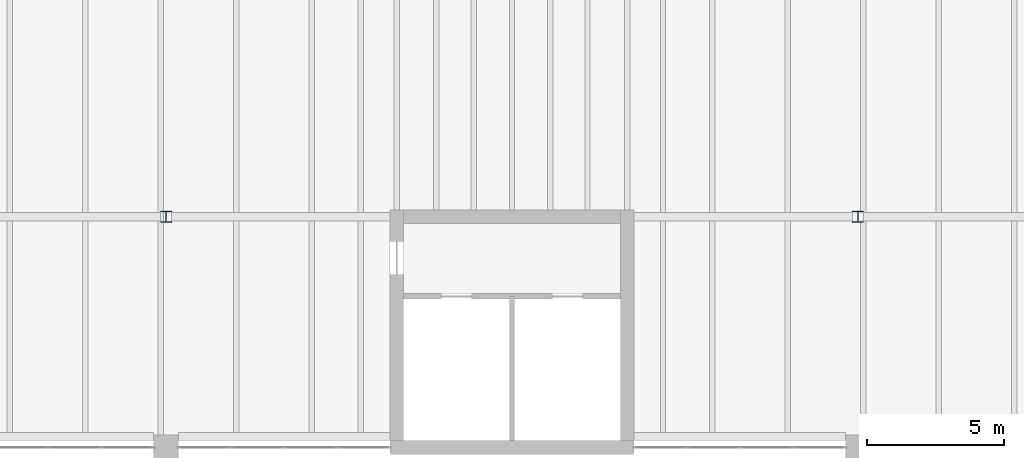
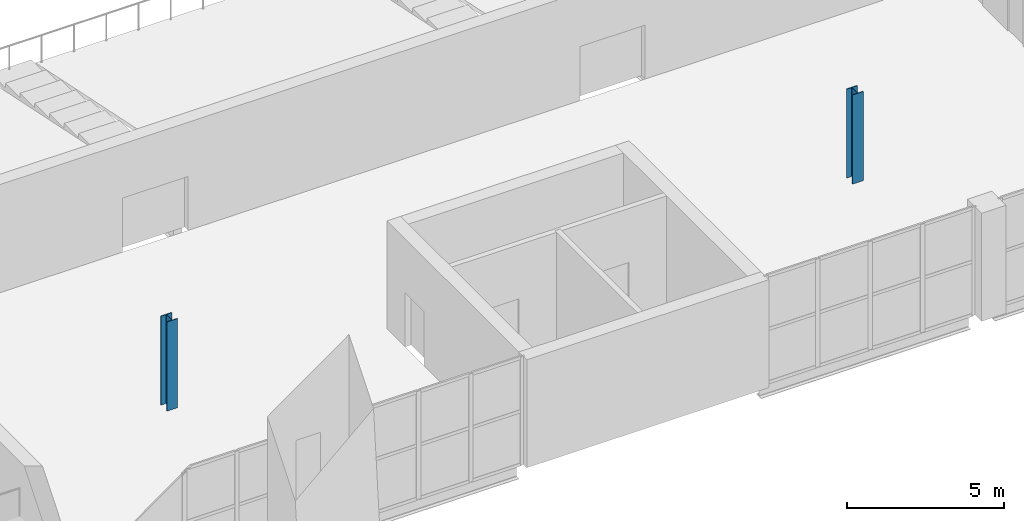
# One storey, part 7 of 100: 2 columns.
"""IFC4 building model written with IfcOpenShell, lengths in metres."""

import ifcopenshell
import ifcopenshell.guid

model = None  # the IFC model being written
_history = None  # IfcOwnerHistory: only IFC2X3 demands one
_inside = {}  # id of a spatial element -> (the spatial element, [elements in it])
_under = {}  # id of a project, library or spatial element -> (it, [spatial elements below it])
_declared = {}  # id of a project -> (the project, [libraries it declares])
_typed = {}  # id of a type object -> (the type object, [elements of that type])
_made_of = {}  # id of a material, layer set ... -> (it, [elements and type objects made of it])


def new_model(schema):
    """Start an empty IFC model of exactly this schema.

    Asked for "IFC4X3", IfcOpenShell would pick the latest addendum, in which some entities
    have other attributes; the version numbers below select the first issue.
    IFC2X3 requires an IfcOwnerHistory on every rooted entity: one is made here for all.
    """
    global model, _history
    if schema == "IFC4X3":
        model = ifcopenshell.file(schema_version=(4, 3, 0, 0))
    else:
        model = ifcopenshell.file(schema=schema)
    _inside.clear()
    _under.clear()
    _declared.clear()
    _typed.clear()
    _made_of.clear()
    _history = None
    if model.schema == "IFC2X3":
        org = make("IfcOrganization", Name="unknown")
        user = make(
            "IfcPersonAndOrganization",
            ThePerson=make("IfcPerson", FamilyName="unknown"),
            TheOrganization=org,
        )
        app = make(
            "IfcApplication",
            ApplicationDeveloper=org,
            Version="unknown",
            ApplicationFullName="unknown",
            ApplicationIdentifier="unknown",
        )
        _history = make(
            "IfcOwnerHistory",
            OwningUser=user,
            OwningApplication=app,
            ChangeAction="ADDED",
            CreationDate=0,
        )
    return model


def make(cls, **values):
    """One entity of the class cls with the attributes given. An attribute that is None is left unset."""
    return model.create_entity(
        cls, **{name: value for name, value in values.items() if value is not None}
    )


def rooted(cls, **values):
    """An entity with a GlobalId (a new one), such as an element, a storey or a relation."""
    return make(cls, GlobalId=ifcopenshell.guid.new(), OwnerHistory=_history, **values)


def si_unit(unit_type, name, prefix=None):
    """IfcSIUnit, for example si_unit("LENGTHUNIT", "METRE", prefix="MILLI")."""
    return make("IfcSIUnit", UnitType=unit_type, Prefix=prefix, Name=name)


def assignment(units):
    """IfcUnitAssignment: the units of a project."""
    return None if units is None else make("IfcUnitAssignment", Units=units)


def point(xyz):
    """IfcCartesianPoint."""
    return None if xyz is None else make("IfcCartesianPoint", Coordinates=xyz)


def direction(xyz):
    """IfcDirection."""
    return None if xyz is None else make("IfcDirection", DirectionRatios=xyz)


def frame(location, z_axis=None, x_axis=None):
    """IfcAxis2Placement3D, a coordinate frame: its origin and axes. An axis left out is left unset."""
    return make(
        "IfcAxis2Placement3D",
        Location=point(location),
        Axis=direction(z_axis),
        RefDirection=direction(x_axis),
    )


def frame_2d(location, x_axis=None):
    """IfcAxis2Placement2D, a coordinate frame in the plane: its origin and x axis."""
    return make(
        "IfcAxis2Placement2D", Location=point(location), RefDirection=direction(x_axis)
    )


def origin():
    """The frame at (0, 0, 0) with its axes left unset."""
    return frame((0.0, 0.0, 0.0))


def origin_2d():
    """The frame at (0, 0) in the plane with its x axis left unset."""
    return frame_2d((0.0, 0.0))


def place(relative_to, where):
    """IfcLocalPlacement: puts the frame where relative to a parent placement (None: the world)."""
    return make(
        "IfcLocalPlacement", PlacementRelTo=relative_to, RelativePlacement=where
    )


def context(
    kind, dimensions, precision=None, world=None, true_north=None, identifier=None
):
    """IfcGeometricRepresentationContext, for example the 3D "Model" context."""
    return make(
        "IfcGeometricRepresentationContext",
        ContextIdentifier=identifier,
        ContextType=kind,
        CoordinateSpaceDimension=dimensions,
        Precision=precision,
        WorldCoordinateSystem=world,
        TrueNorth=true_north,
    )


def subcontext(parent, identifier, kind, view, scale=None):
    """IfcGeometricRepresentationSubContext, for example "Body" below "Model"."""
    return make(
        "IfcGeometricRepresentationSubContext",
        ContextIdentifier=identifier,
        ContextType=kind,
        ParentContext=parent,
        TargetScale=scale,
        TargetView=view,
    )


def project(units=None, contexts=None):
    """IfcProject with its units and contexts."""
    return rooted(
        "IfcProject",
        Name="project",
        RepresentationContexts=contexts,
        UnitsInContext=assignment(units),
    )


def spatial(cls, under=None, at=None, **own):
    """A site, building, storey or space (cls), placed at a placement, below another one or the project."""
    s = rooted(cls, ObjectPlacement=at, **own)
    if under is not None:
        _under.setdefault(under.id(), (under, []))[1].append(s)
    return s


def profile(cls, at=None, kind="AREA", **sizes):
    """A parametric profile (cls). Its sizes go by their IFC names, for example OverallWidth=200.0."""
    return make(cls, ProfileType=kind, Position=at, **sizes)


def i_section(**sizes):
    """IfcIShapeProfileDef."""
    return profile("IfcIShapeProfileDef", **sizes)


def extrude(swept, where, along, depth):
    """IfcExtrudedAreaSolid: the profile swept, set in the frame where, extruded along a direction by depth."""
    return make(
        "IfcExtrudedAreaSolid",
        SweptArea=swept,
        Position=where,
        ExtrudedDirection=direction(along),
        Depth=depth,
    )


def shape(context_of_items, identifier, shape_type, items):
    """IfcShapeRepresentation: the items that make up one representation, for example the "Body"."""
    return make(
        "IfcShapeRepresentation",
        ContextOfItems=context_of_items,
        RepresentationIdentifier=identifier,
        RepresentationType=shape_type,
        Items=items,
    )


def material(Name=None, Category=None):
    """IfcMaterial."""
    return make("IfcMaterial", Name=Name, Category=Category)


def material_profile(
    of_material, cross_section, Name=None, Category=None, Priority=None
):
    """IfcMaterialProfile: a cross section and its material."""
    return make(
        "IfcMaterialProfile",
        Name=Name,
        Material=of_material,
        Profile=cross_section,
        Priority=Priority,
        Category=Category,
    )


def profile_set(profiles, Name=None, composite=None):
    """IfcMaterialProfileSet."""
    return make(
        "IfcMaterialProfileSet",
        Name=Name,
        MaterialProfiles=profiles,
        CompositeProfile=composite,
    )


def made_of(thing, what):
    """Note that an element or type object is made of a material, layer set ...; save() writes the relation."""
    if what is not None:
        _made_of.setdefault(what.id(), (what, []))[1].append(thing)
    return thing


def type_object(cls, material=None, **own):
    """A type object (cls), such as IfcWallType, which elements share."""
    return made_of(rooted(cls, **own), material)


def element(
    cls,
    number,
    at=None,
    inside=None,
    cuts=None,
    type_object=None,
    material=None,
    context=None,
    identifier="Body",
    shape_type=None,
    held_by="IfcProductDefinitionShape",
    body=None,
    shapes=None,
    **own,
):
    """One element of the class cls, such as IfcWall. Its Tag is "e" and its number.

    at: its placement. inside: the storey or other place that contains it. cuts: it is an
    opening in that element (IfcRelVoidsElement). A single representation is given by context,
    identifier, shape_type and body (its items); several are given by shapes. held_by: the class
    of the entity that holds the representations. save() writes the other relations.
    """
    e = rooted(cls, Tag="e%d" % number, ObjectPlacement=at, **own)
    if body is not None:
        shapes = [shape(context, identifier, shape_type, body)]
    if shapes is not None:
        e.Representation = make(held_by, Representations=shapes)
    if inside is not None:
        _inside.setdefault(inside.id(), (inside, []))[1].append(e)
    if cuts is not None:
        rooted(
            "IfcRelVoidsElement", RelatingBuildingElement=cuts, RelatedOpeningElement=e
        )
    if type_object is not None:
        _typed.setdefault(type_object.id(), (type_object, []))[1].append(e)
    return made_of(e, material)


def aggregate(whole, parts):
    """IfcRelAggregates: a whole, such as a stair, and the parts it consists of."""
    return rooted("IfcRelAggregates", RelatingObject=whole, RelatedObjects=parts)


def save(model, path):
    """Write the relations noted so far, then the file.

    IfcRelAggregates (storeys below a building ...), IfcRelContainedInSpatialStructure (elements
    in a storey), IfcRelDefinesByType, IfcRelAssociatesMaterial and IfcRelDeclares: one each for
    every whole, place, type object, material and project.
    """
    for whole, parts in _under.values():
        aggregate(whole, parts)
    for where, things in _inside.values():
        rooted(
            "IfcRelContainedInSpatialStructure",
            RelatedElements=things,
            RelatingStructure=where,
        )
    for kind, things in _typed.values():
        rooted("IfcRelDefinesByType", RelatedObjects=things, RelatingType=kind)
    for what, things in _made_of.values():
        rooted("IfcRelAssociatesMaterial", RelatedObjects=things, RelatingMaterial=what)
    for by, libraries in _declared.values():
        rooted("IfcRelDeclares", RelatingContext=by, RelatedDefinitions=libraries)
    model.write(path)


model = new_model("IFC4")

# Units and contexts
model_context = context("Model", 3, precision=1e-05, world=origin(), true_north=direction((0.0, 1.0)))
body_context = subcontext(model_context, "Body", "Model", "MODEL_VIEW")
ifc_project = project(units=[si_unit("LENGTHUNIT", "METRE"), si_unit("AREAUNIT", "SQUARE_METRE"), si_unit("VOLUMEUNIT", "CUBIC_METRE"), si_unit("PLANEANGLEUNIT", "RADIAN"), si_unit("MASSUNIT", "GRAM", prefix="KILO")], contexts=[model_context])

# Site, building, storey
site_placement = place(None, origin())
site = spatial("IfcSite", under=ifc_project, at=site_placement, CompositionType="ELEMENT")
building_placement = place(site_placement, origin())
building = spatial("IfcBuilding", under=site, at=building_placement, Name="Cresset Court Congress Hotel", CompositionType="ELEMENT")
storey_placement = place(building_placement, frame((0.0, 0.0, 10.199951171875)))
storey = spatial("IfcBuildingStorey", under=building, at=storey_placement, Name="L02", CompositionType="ELEMENT", Elevation=10.199951171875)

# Columns
ifc_material = material(Name="Structural steel Q355B", Category="steel")
ifc_material_profile = material_profile(ifc_material, i_section(OverallWidth=0.39990234375, OverallDepth=0.39990234375, WebThickness=0.012939453125, FlangeThickness=0.02099609375, FilletRadius=0.02197265625, at=origin_2d()), Name="HW400x400x13x21")
ifc_profile_set = profile_set([ifc_material_profile], Name="Structural steel Q355B")
column_type = type_object("IfcColumnType", Name="Steel HW400x400x13x21 column", PredefinedType="COLUMN", material=ifc_profile_set)
for number, where, z_axis, x_axis, name in (
    (1, (75.60009765625, 67.199951171875, 0.0), (0.0, 0.0, 1.0), (1.0, 0.0, 0.0), "Column CC-F75"),
    (2, (100.800048828125, 67.199951171875, 0.0), (0.0, 0.0, 1.0), (1.0, 0.0, 0.0), "Column CC-F100"),
):
    element("IfcColumn", number, at=place(storey_placement, frame(where, z_axis=z_axis, x_axis=x_axis)), inside=storey, type_object=column_type, Name=name, PredefinedType="COLUMN", context=body_context, shape_type="SweptSolid", body=[
        extrude(i_section(OverallWidth=0.39990234375, OverallDepth=0.39990234375, WebThickness=0.012939453125, FlangeThickness=0.02099609375, FilletRadius=0.02197265625, at=origin_2d()), origin(), (0.0, 0.0, 1.0), 3.462158203125),
    ])

save(model, "model.ifc")
